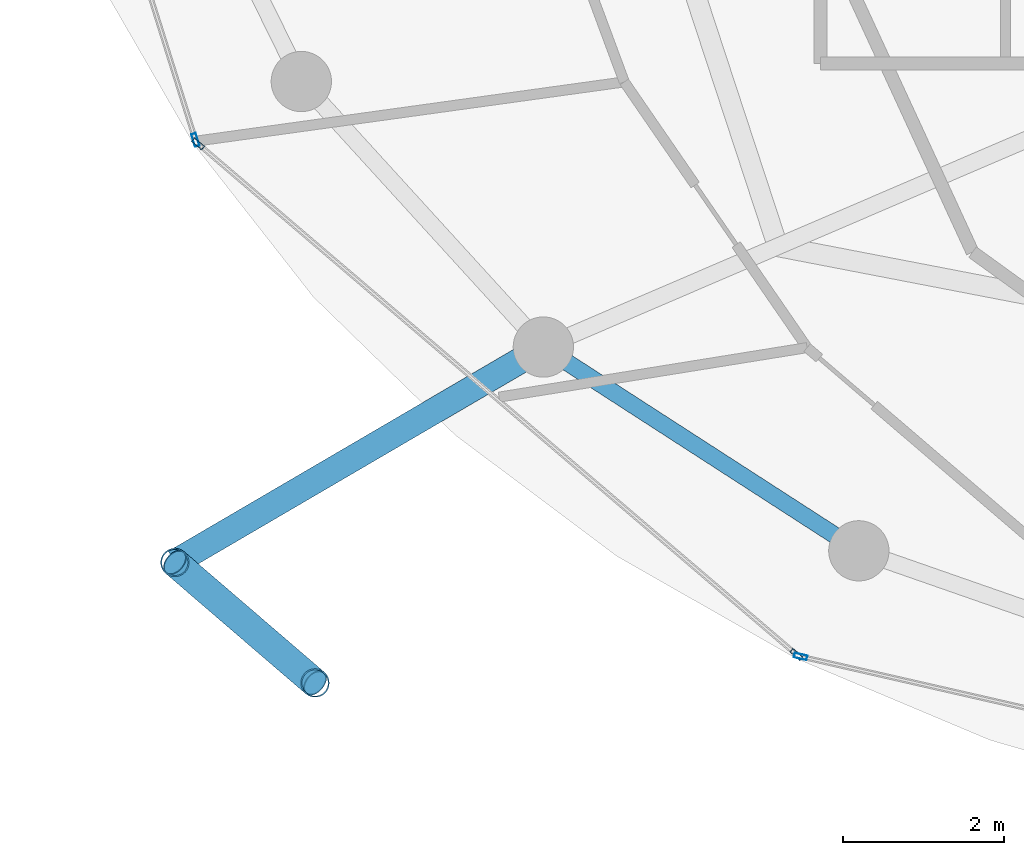
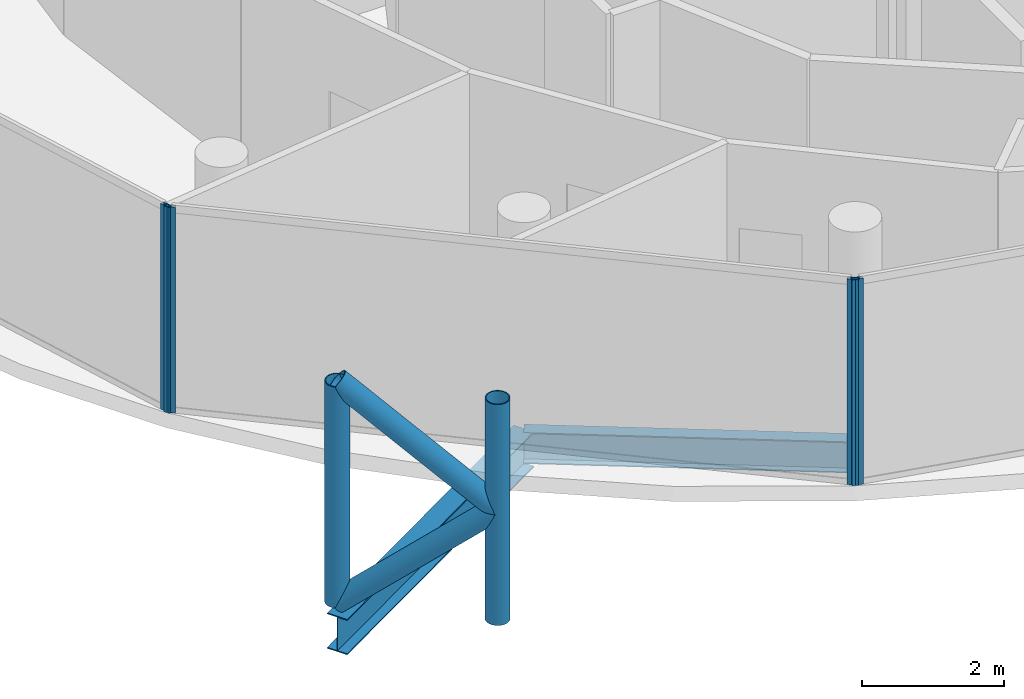
# One storey, part 2 of 24: 8 members, 2 beams, 3 elements without a shape of their own.
"""IFC4 building model written with IfcOpenShell, lengths in metres."""

import ifcopenshell
import ifcopenshell.guid

model = None  # the IFC model being written
_history = None  # IfcOwnerHistory: only IFC2X3 demands one
_inside = {}  # id of a spatial element -> (the spatial element, [elements in it])
_under = {}  # id of a project, library or spatial element -> (it, [spatial elements below it])
_declared = {}  # id of a project -> (the project, [libraries it declares])
_typed = {}  # id of a type object -> (the type object, [elements of that type])
_made_of = {}  # id of a material, layer set ... -> (it, [elements and type objects made of it])


def new_model(schema):
    """Start an empty IFC model of exactly this schema.

    Asked for "IFC4X3", IfcOpenShell would pick the latest addendum, in which some entities
    have other attributes; the version numbers below select the first issue.
    IFC2X3 requires an IfcOwnerHistory on every rooted entity: one is made here for all.
    """
    global model, _history
    if schema == "IFC4X3":
        model = ifcopenshell.file(schema_version=(4, 3, 0, 0))
    else:
        model = ifcopenshell.file(schema=schema)
    _inside.clear()
    _under.clear()
    _declared.clear()
    _typed.clear()
    _made_of.clear()
    _history = None
    if model.schema == "IFC2X3":
        org = make("IfcOrganization", Name="unknown")
        user = make(
            "IfcPersonAndOrganization",
            ThePerson=make("IfcPerson", FamilyName="unknown"),
            TheOrganization=org,
        )
        app = make(
            "IfcApplication",
            ApplicationDeveloper=org,
            Version="unknown",
            ApplicationFullName="unknown",
            ApplicationIdentifier="unknown",
        )
        _history = make(
            "IfcOwnerHistory",
            OwningUser=user,
            OwningApplication=app,
            ChangeAction="ADDED",
            CreationDate=0,
        )
    return model


def make(cls, **values):
    """One entity of the class cls with the attributes given. An attribute that is None is left unset."""
    return model.create_entity(
        cls, **{name: value for name, value in values.items() if value is not None}
    )


def rooted(cls, **values):
    """An entity with a GlobalId (a new one), such as an element, a storey or a relation."""
    return make(cls, GlobalId=ifcopenshell.guid.new(), OwnerHistory=_history, **values)


def si_unit(unit_type, name, prefix=None):
    """IfcSIUnit, for example si_unit("LENGTHUNIT", "METRE", prefix="MILLI")."""
    return make("IfcSIUnit", UnitType=unit_type, Prefix=prefix, Name=name)


def assignment(units):
    """IfcUnitAssignment: the units of a project."""
    return None if units is None else make("IfcUnitAssignment", Units=units)


def point(xyz):
    """IfcCartesianPoint."""
    return None if xyz is None else make("IfcCartesianPoint", Coordinates=xyz)


def direction(xyz):
    """IfcDirection."""
    return None if xyz is None else make("IfcDirection", DirectionRatios=xyz)


def frame(location, z_axis=None, x_axis=None):
    """IfcAxis2Placement3D, a coordinate frame: its origin and axes. An axis left out is left unset."""
    return make(
        "IfcAxis2Placement3D",
        Location=point(location),
        Axis=direction(z_axis),
        RefDirection=direction(x_axis),
    )


def frame_2d(location, x_axis=None):
    """IfcAxis2Placement2D, a coordinate frame in the plane: its origin and x axis."""
    return make(
        "IfcAxis2Placement2D", Location=point(location), RefDirection=direction(x_axis)
    )


def origin():
    """The frame at (0, 0, 0) with its axes left unset."""
    return frame((0.0, 0.0, 0.0))


def origin_2d():
    """The frame at (0, 0) in the plane with its x axis left unset."""
    return frame_2d((0.0, 0.0))


def place(relative_to, where):
    """IfcLocalPlacement: puts the frame where relative to a parent placement (None: the world)."""
    return make(
        "IfcLocalPlacement", PlacementRelTo=relative_to, RelativePlacement=where
    )


def context(
    kind, dimensions, precision=None, world=None, true_north=None, identifier=None
):
    """IfcGeometricRepresentationContext, for example the 3D "Model" context."""
    return make(
        "IfcGeometricRepresentationContext",
        ContextIdentifier=identifier,
        ContextType=kind,
        CoordinateSpaceDimension=dimensions,
        Precision=precision,
        WorldCoordinateSystem=world,
        TrueNorth=true_north,
    )


def subcontext(parent, identifier, kind, view, scale=None):
    """IfcGeometricRepresentationSubContext, for example "Body" below "Model"."""
    return make(
        "IfcGeometricRepresentationSubContext",
        ContextIdentifier=identifier,
        ContextType=kind,
        ParentContext=parent,
        TargetScale=scale,
        TargetView=view,
    )


def project(units=None, contexts=None):
    """IfcProject with its units and contexts."""
    return rooted(
        "IfcProject",
        Name="project",
        RepresentationContexts=contexts,
        UnitsInContext=assignment(units),
    )


def spatial(cls, under=None, at=None, **own):
    """A site, building, storey or space (cls), placed at a placement, below another one or the project."""
    s = rooted(cls, ObjectPlacement=at, **own)
    if under is not None:
        _under.setdefault(under.id(), (under, []))[1].append(s)
    return s


def profile(cls, at=None, kind="AREA", **sizes):
    """A parametric profile (cls). Its sizes go by their IFC names, for example OverallWidth=200.0."""
    return make(cls, ProfileType=kind, Position=at, **sizes)


def hollow_rectangle(**sizes):
    """IfcRectangleHollowProfileDef."""
    return profile("IfcRectangleHollowProfileDef", **sizes)


def hollow_circle(**sizes):
    """IfcCircleHollowProfileDef."""
    return profile("IfcCircleHollowProfileDef", **sizes)


def i_section(**sizes):
    """IfcIShapeProfileDef."""
    return profile("IfcIShapeProfileDef", **sizes)


def extrude(swept, where, along, depth):
    """IfcExtrudedAreaSolid: the profile swept, set in the frame where, extruded along a direction by depth."""
    return make(
        "IfcExtrudedAreaSolid",
        SweptArea=swept,
        Position=where,
        ExtrudedDirection=direction(along),
        Depth=depth,
    )


def shape(context_of_items, identifier, shape_type, items):
    """IfcShapeRepresentation: the items that make up one representation, for example the "Body"."""
    return make(
        "IfcShapeRepresentation",
        ContextOfItems=context_of_items,
        RepresentationIdentifier=identifier,
        RepresentationType=shape_type,
        Items=items,
    )


def material(Name=None, Category=None):
    """IfcMaterial."""
    return make("IfcMaterial", Name=Name, Category=Category)


def layer(
    of_material, thickness, ventilated=None, Name=None, Category=None, Priority=None
):
    """IfcMaterialLayer: one layer of a wall or slab, of a material (None: an air gap)."""
    return make(
        "IfcMaterialLayer",
        Material=of_material,
        LayerThickness=thickness,
        IsVentilated=ventilated,
        Name=Name,
        Category=Category,
        Priority=Priority,
    )


def layer_set(layers, Name=None):
    """IfcMaterialLayerSet."""
    return make("IfcMaterialLayerSet", MaterialLayers=layers, LayerSetName=Name)


def material_profile(
    of_material, cross_section, Name=None, Category=None, Priority=None
):
    """IfcMaterialProfile: a cross section and its material."""
    return make(
        "IfcMaterialProfile",
        Name=Name,
        Material=of_material,
        Profile=cross_section,
        Priority=Priority,
        Category=Category,
    )


def profile_set(profiles, Name=None, composite=None):
    """IfcMaterialProfileSet."""
    return make(
        "IfcMaterialProfileSet",
        Name=Name,
        MaterialProfiles=profiles,
        CompositeProfile=composite,
    )


def made_of(thing, what):
    """Note that an element or type object is made of a material, layer set ...; save() writes the relation."""
    if what is not None:
        _made_of.setdefault(what.id(), (what, []))[1].append(thing)
    return thing


def type_object(cls, material=None, **own):
    """A type object (cls), such as IfcWallType, which elements share."""
    return made_of(rooted(cls, **own), material)


def element(
    cls,
    number,
    at=None,
    inside=None,
    cuts=None,
    type_object=None,
    material=None,
    context=None,
    identifier="Body",
    shape_type=None,
    held_by="IfcProductDefinitionShape",
    body=None,
    shapes=None,
    **own,
):
    """One element of the class cls, such as IfcWall. Its Tag is "e" and its number.

    at: its placement. inside: the storey or other place that contains it. cuts: it is an
    opening in that element (IfcRelVoidsElement). A single representation is given by context,
    identifier, shape_type and body (its items); several are given by shapes. held_by: the class
    of the entity that holds the representations. save() writes the other relations.
    """
    e = rooted(cls, Tag="e%d" % number, ObjectPlacement=at, **own)
    if body is not None:
        shapes = [shape(context, identifier, shape_type, body)]
    if shapes is not None:
        e.Representation = make(held_by, Representations=shapes)
    if inside is not None:
        _inside.setdefault(inside.id(), (inside, []))[1].append(e)
    if cuts is not None:
        rooted(
            "IfcRelVoidsElement", RelatingBuildingElement=cuts, RelatedOpeningElement=e
        )
    if type_object is not None:
        _typed.setdefault(type_object.id(), (type_object, []))[1].append(e)
    return made_of(e, material)


def aggregate(whole, parts):
    """IfcRelAggregates: a whole, such as a stair, and the parts it consists of."""
    return rooted("IfcRelAggregates", RelatingObject=whole, RelatedObjects=parts)


def save(model, path):
    """Write the relations noted so far, then the file.

    IfcRelAggregates (storeys below a building ...), IfcRelContainedInSpatialStructure (elements
    in a storey), IfcRelDefinesByType, IfcRelAssociatesMaterial and IfcRelDeclares: one each for
    every whole, place, type object, material and project.
    """
    for whole, parts in _under.values():
        aggregate(whole, parts)
    for where, things in _inside.values():
        rooted(
            "IfcRelContainedInSpatialStructure",
            RelatedElements=things,
            RelatingStructure=where,
        )
    for kind, things in _typed.values():
        rooted("IfcRelDefinesByType", RelatedObjects=things, RelatingType=kind)
    for what, things in _made_of.values():
        rooted("IfcRelAssociatesMaterial", RelatedObjects=things, RelatingMaterial=what)
    for by, libraries in _declared.values():
        rooted("IfcRelDeclares", RelatingContext=by, RelatedDefinitions=libraries)
    model.write(path)


model = new_model("IFC4")

# Units and contexts
model_context = context("Model", 3, precision=1e-05, world=origin(), true_north=direction((0.0, 1.0)))
body_context = subcontext(model_context, "Body", "Model", "MODEL_VIEW")
ifc_project = project(units=[si_unit("LENGTHUNIT", "METRE"), si_unit("AREAUNIT", "SQUARE_METRE"), si_unit("VOLUMEUNIT", "CUBIC_METRE"), si_unit("PLANEANGLEUNIT", "RADIAN"), si_unit("MASSUNIT", "GRAM", prefix="KILO")], contexts=[model_context])

# Site, building, storey
site_placement = place(None, origin())
site = spatial("IfcSite", under=ifc_project, at=site_placement, CompositionType="ELEMENT")
building_placement = place(site_placement, origin())
building = spatial("IfcBuilding", under=site, at=building_placement, Name="Nuhasar Tower", CompositionType="ELEMENT")
storey_placement = place(building_placement, frame((0.0, 0.0, 274.60009765625)))
storey = spatial("IfcBuildingStorey", under=building, at=storey_placement, Name="L68", CompositionType="ELEMENT", Elevation=274.60009765625)

# Beams
ifc_material_1 = material(Name="Steel S355", Category="steel")
ifc_material_profile_1 = material_profile(ifc_material_1, i_section(OverallWidth=0.2099609375, OverallDepth=0.537109375, WebThickness=0.010986328125, FlangeThickness=0.017333984375, at=origin_2d()), Name="W21X68")
ifc_profile_set_1 = profile_set([ifc_material_profile_1], Name="Steel S355")
beam_type_1 = type_object("IfcBeamType", Name="BM-RING-W21X68", PredefinedType="SPANDREL", material=ifc_profile_set_1)
beam_1_placement = place(storey_placement, frame((25.60009765625, 15.52197265625, -0.529052734375), z_axis=(0.840025485934, -0.542546940809, 0.0), x_axis=(0.542546940809, 0.840025485934, 0.0)))
element("IfcBeam", 1, at=beam_1_placement, inside=storey, type_object=beam_type_1, Name="L68 Perimeter Ring Spandrel 16", PredefinedType="SPANDREL", context=body_context, shape_type="SweptSolid", body=[
    extrude(i_section(OverallWidth=0.2099609375, OverallDepth=0.537109375, WebThickness=0.010986328125, FlangeThickness=0.017333984375, at=origin_2d()), origin(), (0.0, 0.0, 1.0), 4.67236328125),
])
ifc_material_profile_2 = material_profile(ifc_material_1, i_section(OverallWidth=0.323974609375, OverallDepth=0.611083984375, WebThickness=0.0126953125, FlangeThickness=0.01904296875, at=origin_2d()), Name="W24X104")
ifc_profile_set_2 = profile_set([ifc_material_profile_2], Name="Steel S355")
beam_type_2 = type_object("IfcBeamType", Name="BM-TIE-W24X104", PredefinedType="BEAM", material=ifc_profile_set_2)
beam_2_placement = place(storey_placement, frame((25.60009765625, 15.52197265625, -0.566162109375), z_axis=(-0.863291554686, -0.504705549413, 0.0), x_axis=(0.504705549413, -0.863291554686, 0.0)))
element("IfcBeam", 2, at=beam_2_placement, inside=storey, type_object=beam_type_2, Name="L68 Exoskeleton Node Tie Beam 08", PredefinedType="BEAM", context=body_context, shape_type="SweptSolid", body=[
    extrude(i_section(OverallWidth=0.323974609375, OverallDepth=0.611083984375, WebThickness=0.0126953125, FlangeThickness=0.01904296875, at=origin_2d()), origin(), (0.0, 0.0, 1.0), 5.309814453125),
])

# Curtain wall, member
ifc_material_2 = material(Name="Aluminium 6063-T6", Category="aluminium")
ifc_layer = layer(ifc_material_2, 0.18994140625)
ifc_layer_set = layer_set([ifc_layer], Name="Aluminium 6063-T6")
curtain_wall_type = type_object("IfcCurtainWallType", Name="CW-Z4-PEN", PredefinedType="NOTDEFINED", material=ifc_layer_set)
curtain_wall_1_placement = place(storey_placement, origin())
curtain_wall_1 = element("IfcCurtainWall", 3, at=curtain_wall_1_placement, inside=storey, type_object=curtain_wall_type, Name="L68 Unitised Curtain Wall 07", PredefinedType="NOTDEFINED")
ifc_material_profile_3 = material_profile(ifc_material_2, hollow_rectangle(XDim=0.06005859375, YDim=0.1650390625, WallThickness=0.0048828125, at=origin_2d()), Name="CWM-5")
ifc_profile_set_3 = profile_set([ifc_material_profile_3], Name="Aluminium 6063-T6")
member_type_1 = type_object("IfcMemberType", Name="CW-MUL-S5", PredefinedType="MULLION", material=ifc_profile_set_3)
member_1_placement = place(storey_placement, frame((21.27197265625, 18.0986328125, 0.0), z_axis=(0.0, 0.0, 1.0), x_axis=(0.954078526601, 0.299556614146, 0.0)))
member_1 = element("IfcMember", 4, at=member_1_placement, type_object=member_type_1, Name="CW-Z4 mullion 2", PredefinedType="MULLION", context=body_context, shape_type="SweptSolid", body=[
    extrude(hollow_rectangle(XDim=0.06005859375, YDim=0.1650390625, WallThickness=0.0048828125, at=origin_2d()), origin(), (0.0, 0.0, 1.0), 3.539794921875),
])
aggregate(curtain_wall_1, [member_1])

# Curtain wall, members
curtain_wall_2_placement = place(storey_placement, origin())
curtain_wall_2 = element("IfcCurtainWall", 5, at=curtain_wall_2_placement, inside=storey, type_object=curtain_wall_type, Name="L68 Unitised Curtain Wall 08", PredefinedType="NOTDEFINED")
member_2_placement = place(storey_placement, frame((21.3037109375, 18.050537109375, 0.0), z_axis=(0.0, 0.0, 1.0), x_axis=(0.649141996205, 0.760667252327, 0.0)))
member_2 = element("IfcMember", 6, at=member_2_placement, type_object=member_type_1, Name="CW-Z4 mullion 1", PredefinedType="MULLION", context=body_context, shape_type="SweptSolid", body=[
    extrude(hollow_rectangle(XDim=0.06005859375, YDim=0.1650390625, WallThickness=0.0048828125, at=origin_2d()), origin(), (0.0, 0.0, 1.0), 3.539794921875),
])
member_3_placement = place(storey_placement, frame((28.7470703125, 11.698486328125, 0.0), z_axis=(0.0, 0.0, 1.0), x_axis=(0.649141996205, 0.760667252327, 0.0)))
member_3 = element("IfcMember", 7, at=member_3_placement, type_object=member_type_1, Name="CW-Z4 mullion 2", PredefinedType="MULLION", context=body_context, shape_type="SweptSolid", body=[
    extrude(hollow_rectangle(XDim=0.06005859375, YDim=0.1650390625, WallThickness=0.0048828125, at=origin_2d()), origin(), (0.0, 0.0, 1.0), 3.539794921875),
])
aggregate(curtain_wall_2, [member_2, member_3])

# Curtain wall, member
curtain_wall_3_placement = place(storey_placement, origin())
curtain_wall_3 = element("IfcCurtainWall", 8, at=curtain_wall_3_placement, inside=storey, type_object=curtain_wall_type, Name="L68 Unitised Curtain Wall 09", PredefinedType="NOTDEFINED")
member_4_placement = place(storey_placement, frame((28.79931640625, 11.67236328125, 0.0), z_axis=(0.0, 0.0, 1.0), x_axis=(0.222889487645, 0.97484371891, 0.0)))
member_4 = element("IfcMember", 9, at=member_4_placement, type_object=member_type_1, Name="CW-Z4 mullion 1", PredefinedType="MULLION", context=body_context, shape_type="SweptSolid", body=[
    extrude(hollow_rectangle(XDim=0.06005859375, YDim=0.1650390625, WallThickness=0.0048828125, at=origin_2d()), origin(), (0.0, 0.0, 1.0), 3.539794921875),
])
aggregate(curtain_wall_3, [member_4])

# Members
ifc_material_3 = material(Name="Steel S460", Category="steel")
ifc_material_profile_4 = material_profile(ifc_material_3, hollow_circle(Radius=0.177734375, WallThickness=0.015869140625, at=origin_2d()), Name="HSS355.6X15.9")
ifc_profile_set_4 = profile_set([ifc_material_profile_4], Name="Steel S460")
member_type_2 = type_object("IfcMemberType", Name="EXO-BRONZE-356", PredefinedType="BRACE", material=ifc_profile_set_4)
for number, where, z_axis, x_axis, name in (
    (10, (21.01611328125, 12.842041015625, 0.0), (0.0, 0.0, 1.0), (1.0, 0.0, 0.0), "L68 Exoskeleton Chord Column EC-08A"),
    (11, (22.760009765625, 11.343017578125, 0.0), (0.0, 0.0, 1.0), (1.0, 0.0, 0.0), "L68 Exoskeleton Chord Column EC-08B"),
):
    element("IfcMember", number, at=place(storey_placement, frame(where, z_axis=z_axis, x_axis=x_axis)), inside=storey, type_object=member_type_2, Name=name, PredefinedType="BRACE", context=body_context, shape_type="SweptSolid", body=[
        extrude(hollow_circle(Radius=0.177734375, WallThickness=0.015869140625, at=origin_2d()), origin(), (0.0, 0.0, 1.0), 3.7998046875),
    ])
for number, where, z_axis, x_axis, name in (
    (12, (21.01611328125, 12.842041015625, 0.0), (0.584625223306, -0.502533791278, 0.636924749792), (0.65185738425, 0.758341579104, 0.0), "L68 Bronze Diagrid Brace W1-08"),
    (13, (22.760009765625, 11.343017578125, 1.89990234375), (-0.584625223306, 0.502533791278, 0.636924749792), (-0.65185738425, -0.758341579104, 0.0), "L68 Bronze Diagrid Brace W2-08"),
):
    element("IfcMember", number, at=place(storey_placement, frame(where, z_axis=z_axis, x_axis=x_axis)), inside=storey, type_object=member_type_2, Name=name, PredefinedType="BRACE", context=body_context, shape_type="SweptSolid", body=[
        extrude(hollow_circle(Radius=0.177734375, WallThickness=0.015869140625, at=origin_2d()), origin(), (0.0, 0.0, 1.0), 2.98291015625),
    ])

save(model, "model.ifc")
